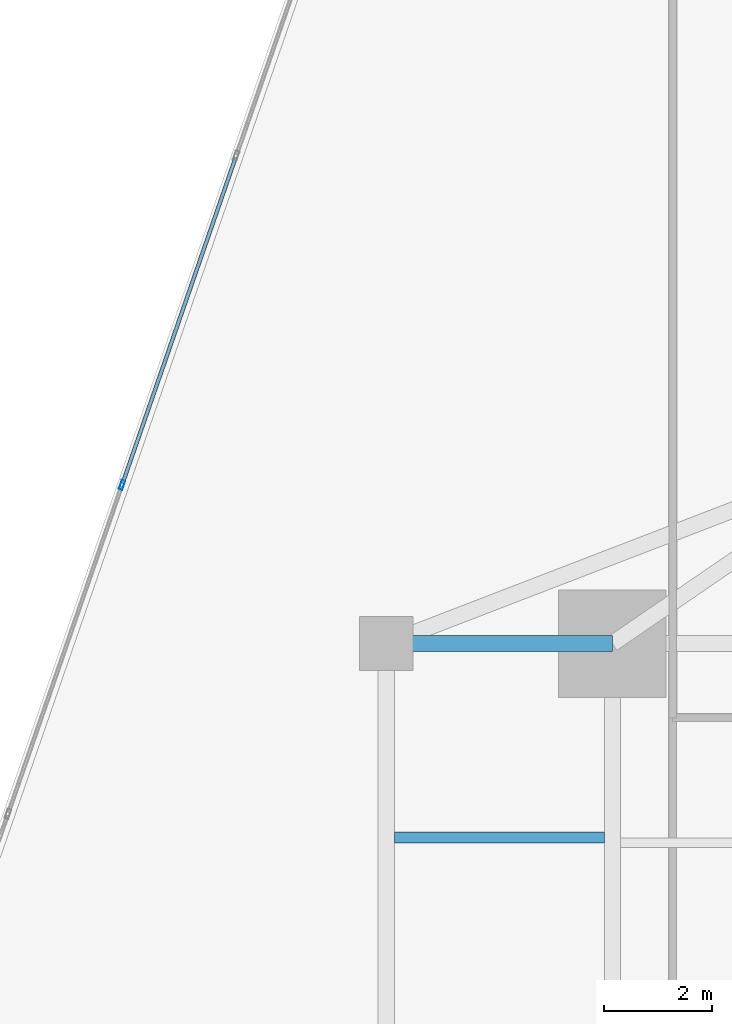
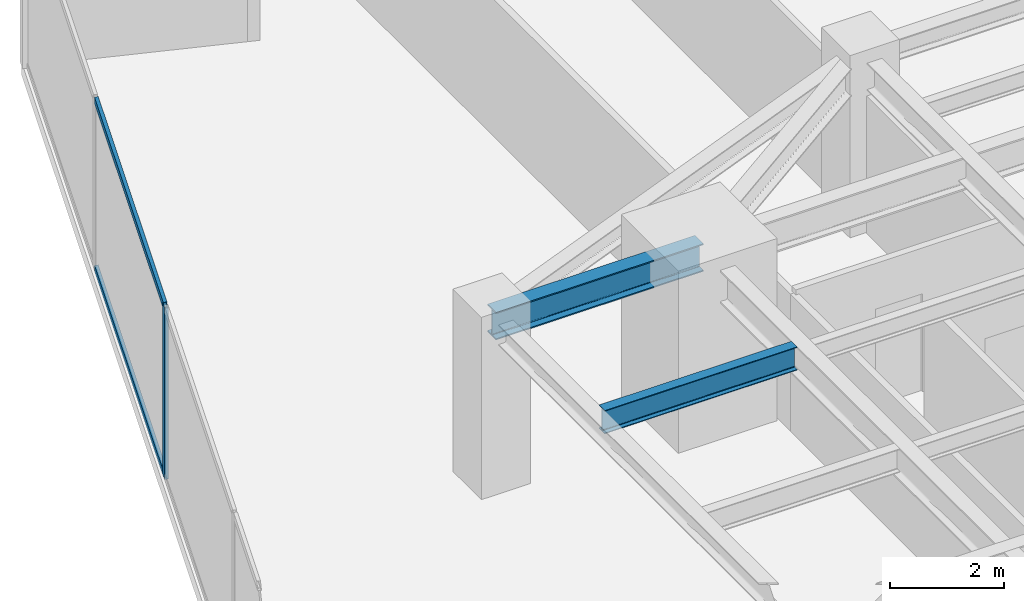
# One storey, part 15 of 28: 3 members, 2 beams, 1 element without a shape of its own.
"""IFC4 building model written with IfcOpenShell, lengths in metres."""

from ifc_helpers import new_model, si_unit, direction, frame, origin, origin_2d, place, context, subcontext, project, spatial, hollow_rectangle, i_section, extrude, source, transform, mapped, material, material_profile, profile_set, type_object, type_shapes, element, aggregate, save


model = new_model("IFC4")

# Units and contexts
model_context = context("Model", 3, precision=1e-05, world=origin(), true_north=direction((0.0, 1.0)))
body_context = subcontext(model_context, "Body", "Model", "MODEL_VIEW")
ifc_project = project(units=[si_unit("LENGTHUNIT", "METRE"), si_unit("AREAUNIT", "SQUARE_METRE"), si_unit("VOLUMEUNIT", "CUBIC_METRE"), si_unit("PLANEANGLEUNIT", "RADIAN"), si_unit("MASSUNIT", "GRAM", prefix="KILO")], contexts=[model_context])

# Site, building, storey
site_placement = place(None, origin())
site = spatial("IfcSite", under=ifc_project, at=site_placement, CompositionType="ELEMENT")
building_placement = place(site_placement, origin())
building = spatial("IfcBuilding", under=site, at=building_placement, Name="Krantzveldt Concourse Tower", CompositionType="ELEMENT")
storey_placement = place(building_placement, frame((0.0, 0.0, 117.699951171875)))
storey = spatial("IfcBuildingStorey", under=building, at=storey_placement, Name="L28", CompositionType="ELEMENT", Elevation=117.699951171875)

# Beams
ifc_material_1 = material(Name="Steel S355JR", Category="steel")
ifc_material_profile_1 = material_profile(ifc_material_1, i_section(OverallWidth=0.300048828125, OverallDepth=0.590087890625, WebThickness=0.012939453125, FlangeThickness=0.02490234375, FilletRadius=0.027099609375, at=origin_2d()), Name="Steel S355JR", Category="steel")
ifc_profile_set_1 = profile_set([ifc_material_profile_1], Name="Steel S355JR - HEA 600")
beam_type_1 = type_object("IfcBeamType", Name="BM-B-HEA600", PredefinedType="BEAM", material=ifc_profile_set_1)
shared_shape_1 = source(origin(), body_context, "Body", "SweptSolid", [
    extrude(i_section(OverallWidth=0.300048828125, OverallDepth=0.590087890625, WebThickness=0.012939453125, FlangeThickness=0.02490234375, FilletRadius=0.027099609375, at=origin_2d()), origin(), (0.0, 0.0, 1.0), 4.199951171875),
])
type_shapes(beam_type_1, [shared_shape_1])
beam_1_placement = place(storey_placement, frame((21.0, 37.5, 3.375), z_axis=(1.0, 0.0, 0.0), x_axis=(0.0, 1.0, 0.0)))
element("IfcBeam", 1, at=beam_1_placement, inside=storey, type_object=beam_type_1, Name="L28 Tower Girder BR-RL3", PredefinedType="BEAM", context=body_context, shape_type="MappedRepresentation", body=[
    mapped(shared_shape_1, transform((0.0, 0.0, 0.0), x_axis=(1.0, 0.0, 0.0), y_axis=(0.0, 1.0, 0.0), z_axis=(0.0, 0.0, 1.0), scale=1.0)),
])
ifc_material_profile_2 = material_profile(ifc_material_1, i_section(OverallWidth=0.199951171875, OverallDepth=0.5, WebThickness=0.01025390625, FlangeThickness=0.01611328125, FilletRadius=0.02099609375, at=origin_2d()), Name="Steel S355JR", Category="steel")
ifc_profile_set_2 = profile_set([ifc_material_profile_2], Name="Steel S355JR - IPE 500")
beam_type_2 = type_object("IfcBeamType", Name="BM-J-IPE500", PredefinedType="JOIST", material=ifc_profile_set_2)
shared_shape_2 = source(origin(), body_context, "Body", "SweptSolid", [
    extrude(i_section(OverallWidth=0.199951171875, OverallDepth=0.5, WebThickness=0.01025390625, FlangeThickness=0.01611328125, FilletRadius=0.02099609375, at=origin_2d()), origin(), (0.0, 0.0, 1.0), 3.900146484375),
])
type_shapes(beam_type_2, [shared_shape_2])
beam_2_placement = place(storey_placement, frame((21.14990234375, 33.89990234375, 3.420166015625), z_axis=(1.0, 0.0, 0.0), x_axis=(0.0, 1.0, 0.0)))
element("IfcBeam", 2, at=beam_2_placement, inside=storey, type_object=beam_type_2, Name="L28 Secondary Floor Joist JW-4", PredefinedType="JOIST", context=body_context, shape_type="MappedRepresentation", body=[
    mapped(shared_shape_2, transform((0.0, 0.0, 0.0), x_axis=(1.0, 0.0, 0.0), y_axis=(0.0, 1.0, 0.0), z_axis=(0.0, 0.0, 1.0), scale=1.0)),
])

# Curtain wall, members
ifc_material_2 = material(Name="Anodised aluminium 6063-T6", Category="aluminium")
curtain_wall_type = type_object("IfcCurtainWallType", Name="CW2", PredefinedType="USERDEFINED", material=ifc_material_2)
curtain_wall_placement = place(storey_placement, origin())
curtain_wall = element("IfcCurtainWall", 3, at=curtain_wall_placement, inside=storey, type_object=curtain_wall_type, Name="CW-L28-F01", ObjectType="UNITISED CURTAIN WALL", PredefinedType="USERDEFINED")
ifc_material_profile_3 = material_profile(ifc_material_2, hollow_rectangle(XDim=0.070068359375, YDim=0.179931640625, WallThickness=0.0048828125, at=origin_2d()), Name="Anodised aluminium 6063-T6", Category="aluminium")
ifc_profile_set_3 = profile_set([ifc_material_profile_3], Name="Anodised aluminium 6063-T6 - ALU-MULL 180x70x5")
member_type_1 = type_object("IfcMemberType", Name="CW-MUL-180", PredefinedType="MULLION", material=ifc_profile_set_3)
shared_shape_3 = source(origin(), body_context, "Body", "SweptSolid", [
    extrude(hollow_rectangle(XDim=0.070068359375, YDim=0.179931640625, WallThickness=0.0048828125, at=origin_2d()), origin(), (0.0, 0.0, 1.0), 3.670166015625),
])
type_shapes(member_type_1, [shared_shape_3])
member_1_placement = place(storey_placement, frame((16.09521484375, 40.44677734375, 0.0), z_axis=(0.0, 0.0, 1.0), x_axis=(0.944806041446, -0.32763019404, 0.0)))
member_1 = element("IfcMember", 4, at=member_1_placement, type_object=member_type_1, Name="CW-Z12 mullion 3", PredefinedType="MULLION", context=body_context, shape_type="MappedRepresentation", body=[
    mapped(shared_shape_3, transform((0.0, 0.0, 0.0), x_axis=(1.0, 0.0, 0.0), y_axis=(0.0, 1.0, 0.0), z_axis=(0.0, 0.0, 1.0), scale=1.0)),
])
ifc_material_profile_4 = material_profile(ifc_material_2, hollow_rectangle(XDim=0.070068359375, YDim=0.139892578125, WallThickness=0.0048828125, at=origin_2d()), Name="Anodised aluminium 6063-T6", Category="aluminium")
ifc_profile_set_4 = profile_set([ifc_material_profile_4], Name="Anodised aluminium 6063-T6 - ALU-TRAN 140x70x5")
member_type_2 = type_object("IfcMemberType", Name="CW-TRN-150", PredefinedType="USERDEFINED", material=ifc_profile_set_4)
shared_shape_4 = source(origin(), body_context, "Body", "SweptSolid", [
    extrude(hollow_rectangle(XDim=0.070068359375, YDim=0.139892578125, WallThickness=0.0048828125, at=origin_2d()), origin(), (0.0, 0.0, 1.0), 6.396484375),
])
type_shapes(member_type_2, [shared_shape_4])
member_2_placement = place(storey_placement, frame((18.202392578125, 46.5234375, 0.03515625), z_axis=(-0.327632258054, -0.944805325706, 0.0), x_axis=(0.944805325706, -0.327632258054, 0.0)))
member_2 = element("IfcMember", 5, at=member_2_placement, type_object=member_type_2, Name="CW-Z12 transom 2.1", ObjectType="TRANSOM", PredefinedType="USERDEFINED", context=body_context, shape_type="MappedRepresentation", body=[
    mapped(shared_shape_4, transform((0.0, 0.0, 0.0), x_axis=(1.0, 0.0, 0.0), y_axis=(0.0, 1.0, 0.0), z_axis=(0.0, 0.0, 1.0), scale=1.0)),
])
member_3_placement = place(storey_placement, frame((18.202392578125, 46.5234375, 3.635009765625), z_axis=(-0.327632258054, -0.944805325706, 0.0), x_axis=(0.944805325706, -0.327632258054, 0.0)))
member_3 = element("IfcMember", 6, at=member_3_placement, type_object=member_type_2, Name="CW-Z12 transom 2.2", ObjectType="TRANSOM", PredefinedType="USERDEFINED", context=body_context, shape_type="MappedRepresentation", body=[
    mapped(shared_shape_4, transform((0.0, 0.0, 0.0), x_axis=(1.0, 0.0, 0.0), y_axis=(0.0, 1.0, 0.0), z_axis=(0.0, 0.0, 1.0), scale=1.0)),
])
aggregate(curtain_wall, [member_1, member_2, member_3])

save(model, "model.ifc")
